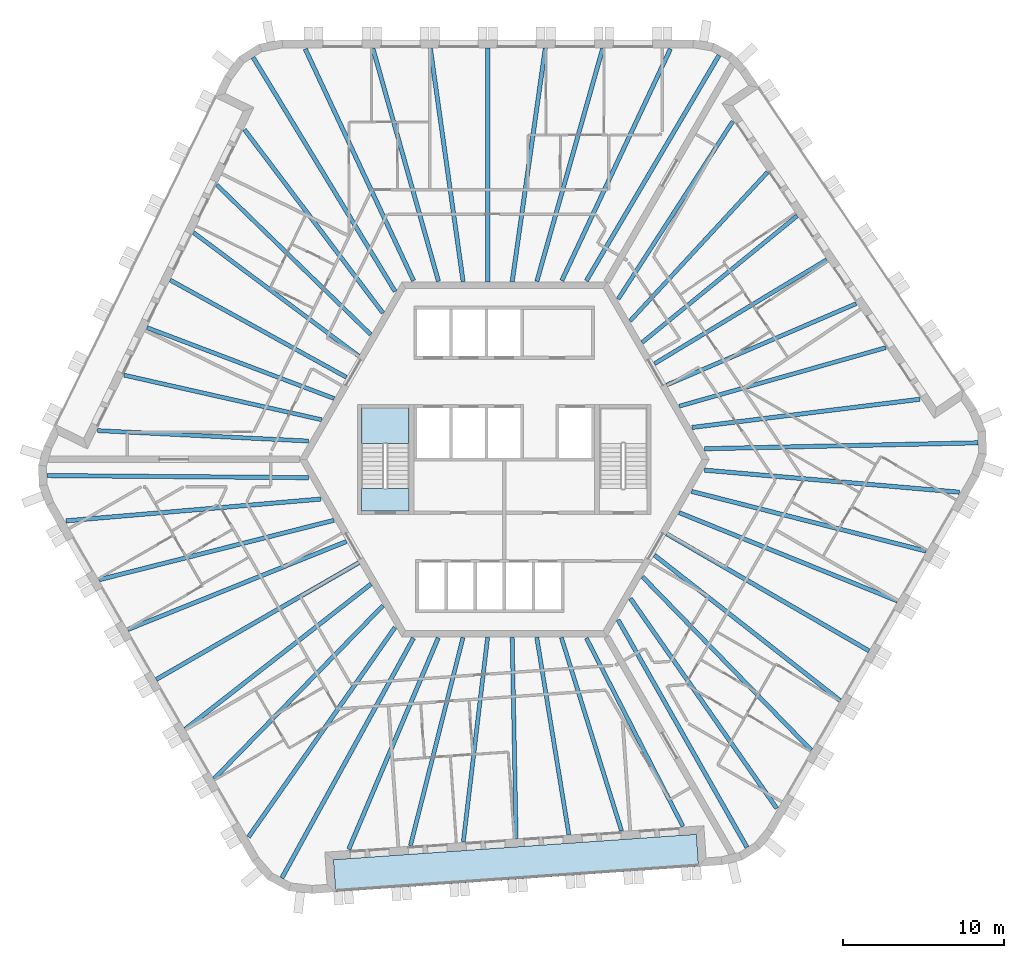
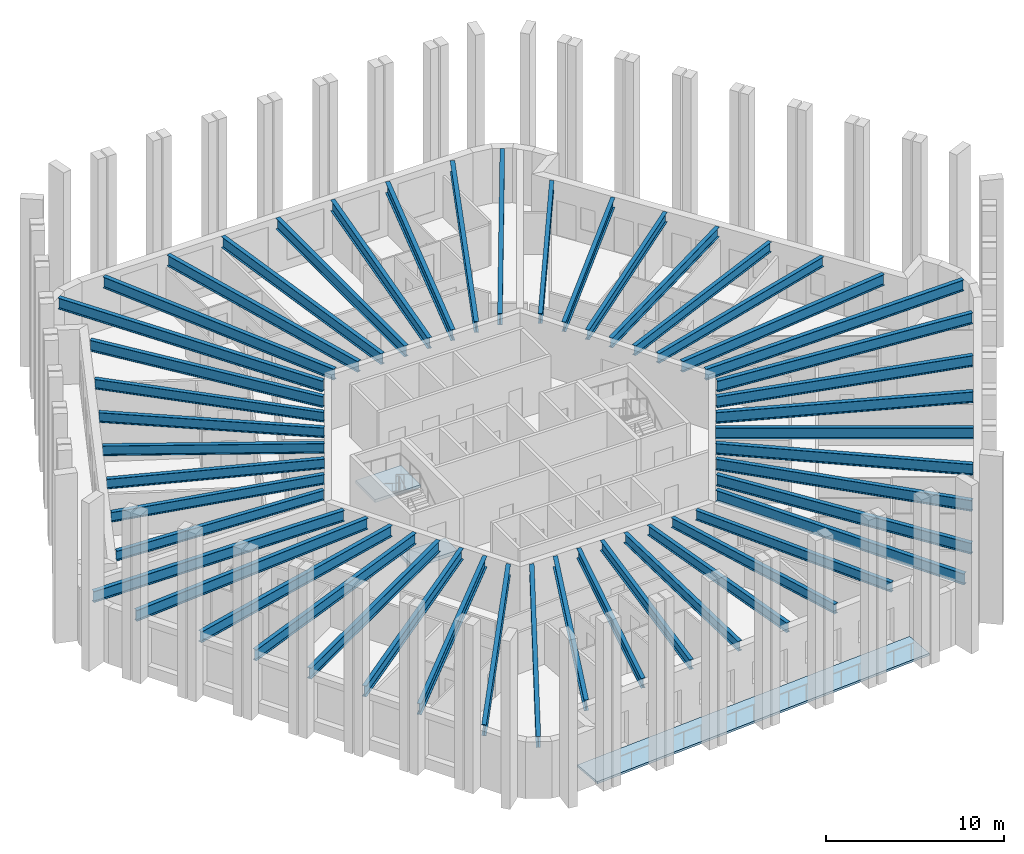
# One storey, part 1 of 13: 48 beams, 3 slabs, 1 element without a shape of its own.
"""IFC4 building model written with IfcOpenShell, lengths in metres."""

from ifc_helpers import new_model, si_unit, direction, frame, origin, origin_2d, place, context, subcontext, project, spatial, polyline, i_section, outline, extrude, material, layer, layer_set, material_profile, profile_set, type_object, element, aggregate, save


model = new_model("IFC4")

# Units and contexts
model_context = context("Model", 3, precision=1e-05, world=origin(), true_north=direction((0.0, 1.0)))
body_context = subcontext(model_context, "Body", "Model", "MODEL_VIEW")
ifc_project = project(units=[si_unit("LENGTHUNIT", "METRE"), si_unit("AREAUNIT", "SQUARE_METRE"), si_unit("VOLUMEUNIT", "CUBIC_METRE"), si_unit("PLANEANGLEUNIT", "RADIAN"), si_unit("MASSUNIT", "GRAM", prefix="KILO")], contexts=[model_context])

# Site, building, storey
site_placement = place(None, origin())
site = spatial("IfcSite", under=ifc_project, at=site_placement, CompositionType="ELEMENT")
building_placement = place(site_placement, origin())
building = spatial("IfcBuilding", under=site, at=building_placement, Name="Tarnside Tower", CompositionType="ELEMENT")
storey_placement = place(building_placement, frame((0.0, 0.0, 326.39990234375)))
storey = spatial("IfcBuildingStorey", under=building, at=storey_placement, Name="L79", CompositionType="ELEMENT", Elevation=326.39990234375)

# Beams
ifc_material_1 = material(Name="Steel S355", Category="steel")
ifc_material_profile_1 = material_profile(ifc_material_1, i_section(OverallWidth=0.2529296875, OverallDepth=0.677978515625, WebThickness=0.01171875, FlangeThickness=0.01611328125, FilletRadius=0.01513671875, at=origin_2d()), Name="UB 686x254x125")
ifc_profile_set_1 = profile_set([ifc_material_profile_1], Name="Steel S355")
beam_type_1 = type_object("IfcBeamType", Name="Floor beam UB 686x254x125", PredefinedType="BEAM", material=ifc_profile_set_1)
beam_1_placement = place(storey_placement, frame((-17.811279296875, 17.002197265625, 3.4111328125), z_axis=(0.717190986424, -0.696876666988, 0.0), x_axis=(0.696876666988, 0.717190986424, 0.0)))
element("IfcBeam", 1, at=beam_1_placement, inside=storey, type_object=beam_type_1, Name="Floor beam F2.02", PredefinedType="BEAM", context=body_context, shape_type="SweptSolid", body=[
    extrude(i_section(OverallWidth=0.2529296875, OverallDepth=0.677978515625, WebThickness=0.01171875, FlangeThickness=0.01611328125, FilletRadius=0.01513671875, at=origin_2d()), origin(), (0.0, 0.0, 1.0), 13.2919921875),
])
beam_2_placement = place(storey_placement, frame((-19.25, 14.0498046875, 3.4111328125), z_axis=(0.801006417676, -0.598655759883, 0.0), x_axis=(0.598655759883, 0.801006417676, 0.0)))
element("IfcBeam", 2, at=beam_2_placement, inside=storey, type_object=beam_type_1, Name="Floor beam F2.03", PredefinedType="BEAM", context=body_context, shape_type="SweptSolid", body=[
    extrude(i_section(OverallWidth=0.2529296875, OverallDepth=0.677978515625, WebThickness=0.01171875, FlangeThickness=0.01611328125, FilletRadius=0.01513671875, at=origin_2d()), origin(), (0.0, 0.0, 1.0), 12.764892578125),
])
beam_3_placement = place(storey_placement, frame((-20.70458984375, 11.111572265625, 3.4111328125), z_axis=(0.875666768762, -0.482915841619, 0.0), x_axis=(0.482915841619, 0.875666768762, 0.0)))
element("IfcBeam", 3, at=beam_3_placement, inside=storey, type_object=beam_type_1, Name="Floor beam F2.04", PredefinedType="BEAM", context=body_context, shape_type="SweptSolid", body=[
    extrude(i_section(OverallWidth=0.2529296875, OverallDepth=0.677978515625, WebThickness=0.01171875, FlangeThickness=0.01611328125, FilletRadius=0.01513671875, at=origin_2d()), origin(), (0.0, 0.0, 1.0), 12.468994140625),
])
beam_4_placement = place(storey_placement, frame((-22.141357421875, 8.165771484375, 3.4111328125), z_axis=(0.935116350489, -0.354340811998, 0.0), x_axis=(0.354340811998, 0.935116350489, 0.0)))
element("IfcBeam", 4, at=beam_4_placement, inside=storey, type_object=beam_type_1, Name="Floor beam F2.05", PredefinedType="BEAM", context=body_context, shape_type="SweptSolid", body=[
    extrude(i_section(OverallWidth=0.2529296875, OverallDepth=0.677978515625, WebThickness=0.01171875, FlangeThickness=0.01611328125, FilletRadius=0.01513671875, at=origin_2d()), origin(), (0.0, 0.0, 1.0), 12.399169921875),
])
beam_5_placement = place(storey_placement, frame((-23.556884765625, 5.2197265625, 3.4111328125), z_axis=(0.975445185376, -0.220242344534, 0.0), x_axis=(0.220242344534, 0.975445185376, 0.0)))
element("IfcBeam", 5, at=beam_5_placement, inside=storey, type_object=beam_type_1, Name="Floor beam F2.06", PredefinedType="BEAM", context=body_context, shape_type="SweptSolid", body=[
    extrude(i_section(OverallWidth=0.2529296875, OverallDepth=0.677978515625, WebThickness=0.01171875, FlangeThickness=0.01611328125, FilletRadius=0.01513671875, at=origin_2d()), origin(), (0.0, 0.0, 1.0), 12.538330078125),
])
beam_6_placement = place(storey_placement, frame((-25.214599609375, 1.7841796875, 3.4111328125), z_axis=(0.998783137237, -0.049317793651, 0.0), x_axis=(0.049317793651, 0.998783137237, 0.0)))
element("IfcBeam", 6, at=beam_6_placement, inside=storey, type_object=beam_type_1, Name="Floor beam F2.07", PredefinedType="BEAM", context=body_context, shape_type="SweptSolid", body=[
    extrude(i_section(OverallWidth=0.2529296875, OverallDepth=0.677978515625, WebThickness=0.01171875, FlangeThickness=0.01611328125, FilletRadius=0.01513671875, at=origin_2d()), origin(), (0.0, 0.0, 1.0), 13.103515625),
])
beam_7_placement = place(storey_placement, frame((-5.818603515625, -23.92626953125, 3.4111328125), z_axis=(0.244907502604, 0.969546448175, 0.0), x_axis=(-0.969546448175, 0.244907502604, 0.0)))
element("IfcBeam", 7, at=beam_7_placement, inside=storey, type_object=beam_type_1, Name="Floor beam F4.02", PredefinedType="BEAM", context=body_context, shape_type="SweptSolid", body=[
    extrude(i_section(OverallWidth=0.2529296875, OverallDepth=0.677978515625, WebThickness=0.01171875, FlangeThickness=0.01611328125, FilletRadius=0.01513671875, at=origin_2d()), origin(), (0.0, 0.0, 1.0), 13.292236328125),
])
beam_8_placement = place(storey_placement, frame((-2.54248046875, -23.69580078125, 3.4111328125), z_axis=(0.117949762105, 0.993019563563, 0.0), x_axis=(-0.993019563563, 0.117949762105, 0.0)))
element("IfcBeam", 8, at=beam_8_placement, inside=storey, type_object=beam_type_1, Name="Floor beam F4.03", PredefinedType="BEAM", context=body_context, shape_type="SweptSolid", body=[
    extrude(i_section(OverallWidth=0.2529296875, OverallDepth=0.677978515625, WebThickness=0.01171875, FlangeThickness=0.01611328125, FilletRadius=0.01513671875, at=origin_2d()), origin(), (0.0, 0.0, 1.0), 12.764892578125),
])
beam_9_placement = place(storey_placement, frame((0.7294921875, -23.486328125, 3.4111328125), z_axis=(-0.019619426101, 0.999807520536, 0.0), x_axis=(-0.999807520536, -0.019619426101, 0.0)))
element("IfcBeam", 9, at=beam_9_placement, inside=storey, type_object=beam_type_1, Name="Floor beam F4.04", PredefinedType="BEAM", context=body_context, shape_type="SweptSolid", body=[
    extrude(i_section(OverallWidth=0.2529296875, OverallDepth=0.677978515625, WebThickness=0.01171875, FlangeThickness=0.01611328125, FilletRadius=0.01513671875, at=origin_2d()), origin(), (0.0, 0.0, 1.0), 12.46875),
])
beam_10_placement = place(storey_placement, frame((3.9990234375, -23.2578125, 3.4111328125), z_axis=(-0.160690769029, 0.987004800773, 0.0), x_axis=(-0.987004800773, -0.160690769029, 0.0)))
element("IfcBeam", 10, at=beam_10_placement, inside=storey, type_object=beam_type_1, Name="Floor beam F4.05", PredefinedType="BEAM", context=body_context, shape_type="SweptSolid", body=[
    extrude(i_section(OverallWidth=0.2529296875, OverallDepth=0.677978515625, WebThickness=0.01171875, FlangeThickness=0.01611328125, FilletRadius=0.01513671875, at=origin_2d()), origin(), (0.0, 0.0, 1.0), 12.399169921875),
])
beam_11_placement = place(storey_placement, frame((7.258056640625, -23.0107421875, 3.4111328125), z_axis=(-0.296997512057, 0.954878252885, 0.0), x_axis=(-0.954878252885, -0.296997512057, 0.0)))
element("IfcBeam", 11, at=beam_11_placement, inside=storey, type_object=beam_type_1, Name="Floor beam F4.06", PredefinedType="BEAM", context=body_context, shape_type="SweptSolid", body=[
    extrude(i_section(OverallWidth=0.2529296875, OverallDepth=0.677978515625, WebThickness=0.01171875, FlangeThickness=0.01611328125, FilletRadius=0.01513671875, at=origin_2d()), origin(), (0.0, 0.0, 1.0), 12.538330078125),
])
beam_12_placement = place(storey_placement, frame((11.06201171875, -22.728515625, 3.4111328125), z_axis=(-0.456683143477, 0.889629420862, 0.0), x_axis=(-0.889629420862, -0.456683143477, 0.0)))
element("IfcBeam", 12, at=beam_12_placement, inside=storey, type_object=beam_type_1, Name="Floor beam F4.07", PredefinedType="BEAM", context=body_context, shape_type="SweptSolid", body=[
    extrude(i_section(OverallWidth=0.2529296875, OverallDepth=0.677978515625, WebThickness=0.01171875, FlangeThickness=0.01611328125, FilletRadius=0.01513671875, at=origin_2d()), origin(), (0.0, 0.0, 1.0), 13.103515625),
])
beam_13_placement = place(storey_placement, frame((23.6298828125, 6.924072265625, 3.4111328125), z_axis=(-0.962104001021, -0.272682766636, 0.0), x_axis=(0.272682766636, -0.962104001021, 0.0)))
element("IfcBeam", 13, at=beam_13_placement, inside=storey, type_object=beam_type_1, Name="Floor beam F6.02", PredefinedType="BEAM", context=body_context, shape_type="SweptSolid", body=[
    extrude(i_section(OverallWidth=0.2529296875, OverallDepth=0.677978515625, WebThickness=0.01171875, FlangeThickness=0.01611328125, FilletRadius=0.01513671875, at=origin_2d()), origin(), (0.0, 0.0, 1.0), 13.2919921875),
])
beam_14_placement = place(storey_placement, frame((21.792236328125, 9.64599609375, 3.4111328125), z_axis=(-0.918954980534, -0.394362452258, 0.0), x_axis=(0.394362452258, -0.918954980534, 0.0)))
element("IfcBeam", 14, at=beam_14_placement, inside=storey, type_object=beam_type_1, Name="Floor beam F6.03", PredefinedType="BEAM", context=body_context, shape_type="SweptSolid", body=[
    extrude(i_section(OverallWidth=0.2529296875, OverallDepth=0.677978515625, WebThickness=0.01171875, FlangeThickness=0.01611328125, FilletRadius=0.01513671875, at=origin_2d()), origin(), (0.0, 0.0, 1.0), 12.7646484375),
])
beam_15_placement = place(storey_placement, frame((19.97509765625, 12.375, 3.4111328125), z_axis=(-0.856046953876, -0.516898068055, 0.0), x_axis=(0.516898068055, -0.856046953876, 0.0)))
element("IfcBeam", 15, at=beam_15_placement, inside=storey, type_object=beam_type_1, Name="Floor beam F6.04", PredefinedType="BEAM", context=body_context, shape_type="SweptSolid", body=[
    extrude(i_section(OverallWidth=0.2529296875, OverallDepth=0.677978515625, WebThickness=0.01171875, FlangeThickness=0.01611328125, FilletRadius=0.01513671875, at=origin_2d()), origin(), (0.0, 0.0, 1.0), 12.46875),
])
beam_16_placement = place(storey_placement, frame((18.142333984375, 15.092041015625, 3.4111328125), z_axis=(-0.774438707576, -0.632648945473, 0.0), x_axis=(0.632648945473, -0.774438707576, 0.0)))
element("IfcBeam", 16, at=beam_16_placement, inside=storey, type_object=beam_type_1, Name="Floor beam F6.05", PredefinedType="BEAM", context=body_context, shape_type="SweptSolid", body=[
    extrude(i_section(OverallWidth=0.2529296875, OverallDepth=0.677978515625, WebThickness=0.01171875, FlangeThickness=0.01611328125, FilletRadius=0.01513671875, at=origin_2d()), origin(), (0.0, 0.0, 1.0), 12.39892578125),
])
beam_17_placement = place(storey_placement, frame((16.299072265625, 17.791015625, 3.4111328125), z_axis=(-0.67846123451, -0.734636204708, 0.0), x_axis=(0.734636204708, -0.67846123451, 0.0)))
element("IfcBeam", 17, at=beam_17_placement, inside=storey, type_object=beam_type_1, Name="Floor beam F6.06", PredefinedType="BEAM", context=body_context, shape_type="SweptSolid", body=[
    extrude(i_section(OverallWidth=0.2529296875, OverallDepth=0.677978515625, WebThickness=0.01171875, FlangeThickness=0.01611328125, FilletRadius=0.01513671875, at=origin_2d()), origin(), (0.0, 0.0, 1.0), 12.538330078125),
])
beam_18_placement = place(storey_placement, frame((14.152587890625, 20.9443359375, 3.4111328125), z_axis=(-0.54209970956, -0.840314170352, 0.0), x_axis=(0.840314170352, -0.54209970956, 0.0)))
element("IfcBeam", 18, at=beam_18_placement, inside=storey, type_object=beam_type_1, Name="Floor beam F6.07", PredefinedType="BEAM", context=body_context, shape_type="SweptSolid", body=[
    extrude(i_section(OverallWidth=0.2529296875, OverallDepth=0.677978515625, WebThickness=0.01171875, FlangeThickness=0.01611328125, FilletRadius=0.01513671875, at=origin_2d()), origin(), (0.0, 0.0, 1.0), 13.103759765625),
])
ifc_material_profile_2 = material_profile(ifc_material_1, i_section(OverallWidth=0.26513671875, OverallDepth=0.75390625, WebThickness=0.0126953125, FlangeThickness=0.017578125, FilletRadius=0.0166015625, at=origin_2d()), Name="UB 762x267x147")
ifc_profile_set_2 = profile_set([ifc_material_profile_2], Name="Steel S355")
beam_type_2 = type_object("IfcBeamType", Name="Floor beam UB 762x267x147", PredefinedType="BEAM", material=ifc_profile_set_2)
beam_19_placement = place(storey_placement, frame((6.093505859375, 25.46142578125, 3.373046875), z_axis=(-0.272147186115, -0.962255636039, 0.0), x_axis=(0.962255636039, -0.272147186115, 0.0)))
element("IfcBeam", 19, at=beam_19_placement, inside=storey, type_object=beam_type_2, Name="Floor beam F1.02", PredefinedType="BEAM", context=body_context, shape_type="SweptSolid", body=[
    extrude(i_section(OverallWidth=0.26513671875, OverallDepth=0.75390625, WebThickness=0.0126953125, FlangeThickness=0.017578125, FilletRadius=0.0166015625, at=origin_2d()), origin(), (0.0, 0.0, 1.0), 14.988525390625),
])
beam_20_placement = place(storey_placement, frame((2.537109375, 25.480224609375, 3.373046875), z_axis=(-0.140349428967, -0.990102034029, 0.0), x_axis=(0.990102034029, -0.140349428967, 0.0)))
element("IfcBeam", 20, at=beam_20_placement, inside=storey, type_object=beam_type_2, Name="Floor beam F1.03", PredefinedType="BEAM", context=body_context, shape_type="SweptSolid", body=[
    extrude(i_section(OverallWidth=0.26513671875, OverallDepth=0.75390625, WebThickness=0.0126953125, FlangeThickness=0.017578125, FilletRadius=0.0166015625, at=origin_2d()), origin(), (0.0, 0.0, 1.0), 14.60498046875),
])
beam_21_placement = place(storey_placement, frame((-1.02490234375, 25.5, 3.373046875), z_axis=(-0.000656653953, -0.999999784403, 0.0), x_axis=(0.999999784403, -0.000656653953, 0.0)))
element("IfcBeam", 21, at=beam_21_placement, inside=storey, type_object=beam_type_2, Name="Floor beam F1.04", PredefinedType="BEAM", context=body_context, shape_type="SweptSolid", body=[
    extrude(i_section(OverallWidth=0.26513671875, OverallDepth=0.75390625, WebThickness=0.0126953125, FlangeThickness=0.017578125, FilletRadius=0.0166015625, at=origin_2d()), origin(), (0.0, 0.0, 1.0), 14.5),
])
beam_22_placement = place(storey_placement, frame((-4.5869140625, 25.480224609375, 3.373046875), z_axis=(0.139070897001, -0.990282427193, 0.0), x_axis=(0.990282427193, 0.139070897001, 0.0)))
element("IfcBeam", 22, at=beam_22_placement, inside=storey, type_object=beam_type_2, Name="Floor beam F1.05", PredefinedType="BEAM", context=body_context, shape_type="SweptSolid", body=[
    extrude(i_section(OverallWidth=0.26513671875, OverallDepth=0.75390625, WebThickness=0.0126953125, FlangeThickness=0.017578125, FilletRadius=0.0166015625, at=origin_2d()), origin(), (0.0, 0.0, 1.0), 14.602294921875),
])
beam_23_placement = place(storey_placement, frame((-8.1435546875, 25.46142578125, 3.373046875), z_axis=(0.270985274434, -0.962583493023, 0.0), x_axis=(0.962583493023, 0.270985274434, 0.0)))
element("IfcBeam", 23, at=beam_23_placement, inside=storey, type_object=beam_type_2, Name="Floor beam F1.06", PredefinedType="BEAM", context=body_context, shape_type="SweptSolid", body=[
    extrude(i_section(OverallWidth=0.26513671875, OverallDepth=0.75390625, WebThickness=0.0126953125, FlangeThickness=0.017578125, FilletRadius=0.0166015625, at=origin_2d()), origin(), (0.0, 0.0, 1.0), 14.9833984375),
])
beam_24_placement = place(storey_placement, frame((-16.101318359375, 20.43212890625, 3.373046875), z_axis=(0.602566097863, -0.798068980543, 0.0), x_axis=(0.798068980543, 0.602566097863, 0.0)))
element("IfcBeam", 24, at=beam_24_placement, inside=storey, type_object=beam_type_2, Name="Floor beam F2.01", PredefinedType="BEAM", context=body_context, shape_type="SweptSolid", body=[
    extrude(i_section(OverallWidth=0.26513671875, OverallDepth=0.75390625, WebThickness=0.0126953125, FlangeThickness=0.017578125, FilletRadius=0.0166015625, at=origin_2d()), origin(), (0.0, 0.0, 1.0), 14.231201171875),
])
beam_25_placement = place(storey_placement, frame((-25.09716796875, -7.45361328125, 3.373046875), z_axis=(0.969413823687, 0.245431942592, 0.0), x_axis=(-0.245431942592, 0.969413823687, 0.0)))
element("IfcBeam", 25, at=beam_25_placement, inside=storey, type_object=beam_type_2, Name="Floor beam F3.02", PredefinedType="BEAM", context=body_context, shape_type="SweptSolid", body=[
    extrude(i_section(OverallWidth=0.26513671875, OverallDepth=0.75390625, WebThickness=0.0126953125, FlangeThickness=0.017578125, FilletRadius=0.0166015625, at=origin_2d()), origin(), (0.0, 0.0, 1.0), 14.98876953125),
])
beam_26_placement = place(storey_placement, frame((-23.3349609375, -10.54296875, 3.373046875), z_axis=(0.927625766949, 0.373510958998, 0.0), x_axis=(-0.373510958998, 0.927625766949, 0.0)))
element("IfcBeam", 26, at=beam_26_placement, inside=storey, type_object=beam_type_2, Name="Floor beam F3.03", PredefinedType="BEAM", context=body_context, shape_type="SweptSolid", body=[
    extrude(i_section(OverallWidth=0.26513671875, OverallDepth=0.75390625, WebThickness=0.0126953125, FlangeThickness=0.017578125, FilletRadius=0.0166015625, at=origin_2d()), origin(), (0.0, 0.0, 1.0), 14.60498046875),
])
beam_27_placement = place(storey_placement, frame((-21.5712890625, -13.6376953125, 3.373046875), z_axis=(0.866357363831, 0.499424587036, 0.0), x_axis=(-0.499424587036, 0.866357363831, 0.0)))
element("IfcBeam", 27, at=beam_27_placement, inside=storey, type_object=beam_type_2, Name="Floor beam F3.04", PredefinedType="BEAM", context=body_context, shape_type="SweptSolid", body=[
    extrude(i_section(OverallWidth=0.26513671875, OverallDepth=0.75390625, WebThickness=0.0126953125, FlangeThickness=0.017578125, FilletRadius=0.0166015625, at=origin_2d()), origin(), (0.0, 0.0, 1.0), 14.5),
])
beam_28_placement = place(storey_placement, frame((-19.77294921875, -16.71240234375, 3.373046875), z_axis=(0.788074813552, 0.615579473541, 0.0), x_axis=(-0.615579473541, 0.788074813552, 0.0)))
element("IfcBeam", 28, at=beam_28_placement, inside=storey, type_object=beam_type_2, Name="Floor beam F3.05", PredefinedType="BEAM", context=body_context, shape_type="SweptSolid", body=[
    extrude(i_section(OverallWidth=0.26513671875, OverallDepth=0.75390625, WebThickness=0.0126953125, FlangeThickness=0.017578125, FilletRadius=0.0166015625, at=origin_2d()), origin(), (0.0, 0.0, 1.0), 14.60205078125),
])
beam_29_placement = place(storey_placement, frame((-17.978515625, -19.783203125, 3.373046875), z_axis=(0.698129580508, 0.71597143017, 0.0), x_axis=(-0.71597143017, 0.698129580508, 0.0)))
element("IfcBeam", 29, at=beam_29_placement, inside=storey, type_object=beam_type_2, Name="Floor beam F3.06", PredefinedType="BEAM", context=body_context, shape_type="SweptSolid", body=[
    extrude(i_section(OverallWidth=0.26513671875, OverallDepth=0.75390625, WebThickness=0.0126953125, FlangeThickness=0.017578125, FilletRadius=0.0166015625, at=origin_2d()), origin(), (0.0, 0.0, 1.0), 14.983642578125),
])
beam_30_placement = place(storey_placement, frame((-9.64404296875, -24.160400390625, 3.373046875), z_axis=(0.389873911801, 0.920868249478, 0.0), x_axis=(-0.920868249478, 0.389873911801, 0.0)))
element("IfcBeam", 30, at=beam_30_placement, inside=storey, type_object=beam_type_2, Name="Floor beam F4.01", PredefinedType="BEAM", context=body_context, shape_type="SweptSolid", body=[
    extrude(i_section(OverallWidth=0.26513671875, OverallDepth=0.75390625, WebThickness=0.0126953125, FlangeThickness=0.017578125, FilletRadius=0.0166015625, at=origin_2d()), origin(), (0.0, 0.0, 1.0), 14.231201171875),
])
beam_31_placement = place(storey_placement, frame((19.00341796875, -18.008056640625, 3.373046875), z_axis=(-0.697249797022, 0.716828236437, 0.0), x_axis=(-0.716828236437, -0.697249797022, 0.0)))
element("IfcBeam", 31, at=beam_31_placement, inside=storey, type_object=beam_type_2, Name="Floor beam F5.02", PredefinedType="BEAM", context=body_context, shape_type="SweptSolid", body=[
    extrude(i_section(OverallWidth=0.26513671875, OverallDepth=0.75390625, WebThickness=0.0126953125, FlangeThickness=0.017578125, FilletRadius=0.0166015625, at=origin_2d()), origin(), (0.0, 0.0, 1.0), 14.98876953125),
])
beam_32_placement = place(storey_placement, frame((20.798095703125, -14.937255859375, 3.373046875), z_axis=(-0.787282014804, 0.616593082321, 0.0), x_axis=(-0.616593082321, -0.787282014804, 0.0)))
element("IfcBeam", 32, at=beam_32_placement, inside=storey, type_object=beam_type_2, Name="Floor beam F5.03", PredefinedType="BEAM", context=body_context, shape_type="SweptSolid", body=[
    extrude(i_section(OverallWidth=0.26513671875, OverallDepth=0.75390625, WebThickness=0.0126953125, FlangeThickness=0.017578125, FilletRadius=0.0166015625, at=origin_2d()), origin(), (0.0, 0.0, 1.0), 14.60498046875),
])
beam_33_placement = place(storey_placement, frame((22.59619140625, -11.8623046875, 3.373046875), z_axis=(-0.865697438889, 0.500567622106, 0.0), x_axis=(-0.500567622106, -0.865697438889, 0.0)))
element("IfcBeam", 33, at=beam_33_placement, inside=storey, type_object=beam_type_2, Name="Floor beam F5.04", PredefinedType="BEAM", context=body_context, shape_type="SweptSolid", body=[
    extrude(i_section(OverallWidth=0.26513671875, OverallDepth=0.75390625, WebThickness=0.0126953125, FlangeThickness=0.017578125, FilletRadius=0.0166015625, at=origin_2d()), origin(), (0.0, 0.0, 1.0), 14.500244140625),
])
beam_34_placement = place(storey_placement, frame((24.35986328125, -8.767578125, 3.373046875), z_axis=(-0.927145907531, 0.374700501933, 0.0), x_axis=(-0.374700501933, -0.927145907531, 0.0)))
element("IfcBeam", 34, at=beam_34_placement, inside=storey, type_object=beam_type_2, Name="Floor beam F5.05", PredefinedType="BEAM", context=body_context, shape_type="SweptSolid", body=[
    extrude(i_section(OverallWidth=0.26513671875, OverallDepth=0.75390625, WebThickness=0.0126953125, FlangeThickness=0.017578125, FilletRadius=0.0166015625, at=origin_2d()), origin(), (0.0, 0.0, 1.0), 14.60205078125),
])
beam_35_placement = place(storey_placement, frame((26.1220703125, -5.67822265625, 3.373046875), z_axis=(-0.969115089144, 0.246608888716, 0.0), x_axis=(-0.246608888716, -0.969115089144, 0.0)))
element("IfcBeam", 35, at=beam_35_placement, inside=storey, type_object=beam_type_2, Name="Floor beam F5.06", PredefinedType="BEAM", context=body_context, shape_type="SweptSolid", body=[
    extrude(i_section(OverallWidth=0.26513671875, OverallDepth=0.75390625, WebThickness=0.0126953125, FlangeThickness=0.017578125, FilletRadius=0.0166015625, at=origin_2d()), origin(), (0.0, 0.0, 1.0), 14.9833984375),
])
beam_36_placement = place(storey_placement, frame((25.745361328125, 3.72802734375, 3.373046875), z_axis=(-0.992433598491, -0.122782541866, 0.0), x_axis=(0.122782541866, -0.992433598491, 0.0)))
element("IfcBeam", 36, at=beam_36_placement, inside=storey, type_object=beam_type_2, Name="Floor beam F6.01", PredefinedType="BEAM", context=body_context, shape_type="SweptSolid", body=[
    extrude(i_section(OverallWidth=0.26513671875, OverallDepth=0.75390625, WebThickness=0.0126953125, FlangeThickness=0.017578125, FilletRadius=0.0166015625, at=origin_2d()), origin(), (0.0, 0.0, 1.0), 14.23095703125),
])
ifc_material_profile_3 = material_profile(ifc_material_1, i_section(OverallWidth=0.2666015625, OverallDepth=0.76220703125, WebThickness=0.014404296875, FlangeThickness=0.021484375, FilletRadius=0.0166015625, at=origin_2d()), Name="UB 762x267x173")
ifc_profile_set_3 = profile_set([ifc_material_profile_3], Name="Steel S355")
beam_type_3 = type_object("IfcBeamType", Name="Floor beam UB 762x267x173", PredefinedType="BEAM", material=ifc_profile_set_3)
beam_37_placement = place(storey_placement, frame((10.285400390625, 25.427490234375, 3.368896484375), z_axis=(-0.424439399801, -0.905456346765, 0.0), x_axis=(0.905456346765, -0.424439399801, 0.0)))
element("IfcBeam", 37, at=beam_37_placement, inside=storey, type_object=beam_type_3, Name="Floor beam F1.01", PredefinedType="BEAM", context=body_context, shape_type="SweptSolid", body=[
    extrude(i_section(OverallWidth=0.2666015625, OverallDepth=0.76220703125, WebThickness=0.014404296875, FlangeThickness=0.021484375, FilletRadius=0.0166015625, at=origin_2d()), origin(), (0.0, 0.0, 1.0), 15.853759765625),
])
beam_38_placement = place(storey_placement, frame((-12.335205078125, 25.427490234375, 3.368896484375), z_axis=(0.423453877267, -0.905917663934, 0.0), x_axis=(0.905917663934, 0.423453877267, 0.0)))
element("IfcBeam", 38, at=beam_38_placement, inside=storey, type_object=beam_type_3, Name="Floor beam F1.07", PredefinedType="BEAM", context=body_context, shape_type="SweptSolid", body=[
    extrude(i_section(OverallWidth=0.2666015625, OverallDepth=0.76220703125, WebThickness=0.014404296875, FlangeThickness=0.021484375, FilletRadius=0.0166015625, at=origin_2d()), origin(), (0.0, 0.0, 1.0), 15.845703125),
])
beam_39_placement = place(storey_placement, frame((-15.5703125, 24.91162109375, 3.368896484375), z_axis=(0.518716683755, -0.854946198304, 0.0), x_axis=(0.854946198304, 0.518716683755, 0.0)))
element("IfcBeam", 39, at=beam_39_placement, inside=storey, type_object=beam_type_3, Name="Floor beam C1", PredefinedType="BEAM", context=body_context, shape_type="SweptSolid", body=[
    extrude(i_section(OverallWidth=0.2666015625, OverallDepth=0.76220703125, WebThickness=0.014404296875, FlangeThickness=0.021484375, FilletRadius=0.0166015625, at=origin_2d()), origin(), (0.0, 0.0, 1.0), 16.961181640625),
])
beam_40_placement = place(storey_placement, frame((-28.3291015625, -1.0009765625, 3.368896484375), z_axis=(0.999966651082, -0.008166806173, 0.0), x_axis=(0.008166806173, 0.999966651082, 0.0)))
element("IfcBeam", 40, at=beam_40_placement, inside=storey, type_object=beam_type_3, Name="Floor beam C2", PredefinedType="BEAM", context=body_context, shape_type="SweptSolid", body=[
    extrude(i_section(OverallWidth=0.2666015625, OverallDepth=0.76220703125, WebThickness=0.014404296875, FlangeThickness=0.021484375, FilletRadius=0.0166015625, at=origin_2d()), origin(), (0.0, 0.0, 1.0), 16.20263671875),
])
beam_41_placement = place(storey_placement, frame((-27.16357421875, -3.806396484375, 3.368896484375), z_axis=(0.996367434748, 0.085158293626, 0.0), x_axis=(-0.085158293626, 0.996367434748, 0.0)))
element("IfcBeam", 41, at=beam_41_placement, inside=storey, type_object=beam_type_3, Name="Floor beam F3.01", PredefinedType="BEAM", context=body_context, shape_type="SweptSolid", body=[
    extrude(i_section(OverallWidth=0.2666015625, OverallDepth=0.76220703125, WebThickness=0.014404296875, FlangeThickness=0.021484375, FilletRadius=0.0166015625, at=origin_2d()), origin(), (0.0, 0.0, 1.0), 15.85400390625),
])
beam_42_placement = place(storey_placement, frame((-15.853271484375, -23.396484375, 3.368896484375), z_axis=(0.572816933654, 0.819683329414, 0.0), x_axis=(-0.819683329414, 0.572816933654, 0.0)))
element("IfcBeam", 42, at=beam_42_placement, inside=storey, type_object=beam_type_3, Name="Floor beam F3.07", PredefinedType="BEAM", context=body_context, shape_type="SweptSolid", body=[
    extrude(i_section(OverallWidth=0.2666015625, OverallDepth=0.76220703125, WebThickness=0.014404296875, FlangeThickness=0.021484375, FilletRadius=0.0166015625, at=origin_2d()), origin(), (0.0, 0.0, 1.0), 15.84619140625),
])
beam_43_placement = place(storey_placement, frame((-13.788818359375, -25.93994140625, 3.368896484375), z_axis=(0.481036073107, 0.876700802081, 0.0), x_axis=(-0.876700802081, 0.481036073107, 0.0)))
element("IfcBeam", 43, at=beam_43_placement, inside=storey, type_object=beam_type_3, Name="Floor beam C3", PredefinedType="BEAM", context=body_context, shape_type="SweptSolid", body=[
    extrude(i_section(OverallWidth=0.2666015625, OverallDepth=0.76220703125, WebThickness=0.014404296875, FlangeThickness=0.021484375, FilletRadius=0.0166015625, at=origin_2d()), origin(), (0.0, 0.0, 1.0), 16.961181640625),
])
beam_44_placement = place(storey_placement, frame((15.031494140625, -24.033447265625, 3.368896484375), z_axis=(-0.49290801997, 0.870081423689, 0.0), x_axis=(-0.870081423689, -0.49290801997, 0.0)))
element("IfcBeam", 44, at=beam_44_placement, inside=storey, type_object=beam_type_3, Name="Floor beam C4", PredefinedType="BEAM", context=body_context, shape_type="SweptSolid", body=[
    extrude(i_section(OverallWidth=0.2666015625, OverallDepth=0.76220703125, WebThickness=0.014404296875, FlangeThickness=0.021484375, FilletRadius=0.0166015625, at=origin_2d()), origin(), (0.0, 0.0, 1.0), 16.202880859375),
])
beam_45_placement = place(storey_placement, frame((16.87841796875, -21.62109375, 3.368896484375), z_axis=(-0.571946235641, 0.82029110902, 0.0), x_axis=(-0.82029110902, -0.571946235641, 0.0)))
element("IfcBeam", 45, at=beam_45_placement, inside=storey, type_object=beam_type_3, Name="Floor beam F5.01", PredefinedType="BEAM", context=body_context, shape_type="SweptSolid", body=[
    extrude(i_section(OverallWidth=0.2666015625, OverallDepth=0.76220703125, WebThickness=0.014404296875, FlangeThickness=0.021484375, FilletRadius=0.0166015625, at=origin_2d()), origin(), (0.0, 0.0, 1.0), 15.85400390625),
])
beam_46_placement = place(storey_placement, frame((28.1884765625, -2.03125, 3.368896484375), z_axis=(-0.996273584651, 0.086249316098, 0.0), x_axis=(-0.086249316098, -0.996273584651, 0.0)))
element("IfcBeam", 46, at=beam_46_placement, inside=storey, type_object=beam_type_3, Name="Floor beam F5.07", PredefinedType="BEAM", context=body_context, shape_type="SweptSolid", body=[
    extrude(i_section(OverallWidth=0.2666015625, OverallDepth=0.76220703125, WebThickness=0.014404296875, FlangeThickness=0.021484375, FilletRadius=0.0166015625, at=origin_2d()), origin(), (0.0, 0.0, 1.0), 15.845947265625),
])
beam_47_placement = place(storey_placement, frame((29.359130859375, 1.028564453125, 3.368896484375), z_axis=(-0.999763142455, -0.02176370807, 0.0), x_axis=(0.02176370807, -0.999763142455, 0.0)))
element("IfcBeam", 47, at=beam_47_placement, inside=storey, type_object=beam_type_3, Name="Floor beam C5", PredefinedType="BEAM", context=body_context, shape_type="SweptSolid", body=[
    extrude(i_section(OverallWidth=0.2666015625, OverallDepth=0.76220703125, WebThickness=0.014404296875, FlangeThickness=0.021484375, FilletRadius=0.0166015625, at=origin_2d()), origin(), (0.0, 0.0, 1.0), 16.961181640625),
])
beam_48_placement = place(storey_placement, frame((13.2978515625, 25.0341796875, 3.368896484375), z_axis=(-0.507080048325, -0.861898964259, 0.0), x_axis=(0.861898964259, -0.507080048325, 0.0)))
element("IfcBeam", 48, at=beam_48_placement, inside=storey, type_object=beam_type_3, Name="Floor beam C6", PredefinedType="BEAM", context=body_context, shape_type="SweptSolid", body=[
    extrude(i_section(OverallWidth=0.2666015625, OverallDepth=0.76220703125, WebThickness=0.014404296875, FlangeThickness=0.021484375, FilletRadius=0.0166015625, at=origin_2d()), origin(), (0.0, 0.0, 1.0), 16.20263671875),
])

# Slabs
ifc_material_2 = material(Name="Concrete C40/50", Category="concrete")
ifc_layer_1 = layer(ifc_material_2, 0.25)
ifc_layer_set_1 = layer_set([ifc_layer_1], Name="Core slab C40/50")
slab_type_1 = type_object("IfcSlabType", Name="Core slab C40/50", PredefinedType="FLOOR", material=ifc_layer_set_1)
slab_1_placement = place(storey_placement, frame((0.0, 0.0, -0.25)))
element("IfcSlab", 49, at=slab_1_placement, inside=storey, type_object=slab_type_1, Name="L79 core floor slab 2", PredefinedType="FLOOR", context=body_context, shape_type="SweptSolid", body=[
    extrude(outline(polyline([(-8.85009765625, -3.199951171875), (-8.85009765625, -1.800048828125), (-5.89990234375, -1.800048828125), (-5.89990234375, -3.199951171875), (-8.85009765625, -3.199951171875)])), origin(), (0.0, 0.0, 1.0), 0.25),
])
ifc_material_3 = material(Name="Timber decking", Category="wood")
ifc_layer_2 = layer(ifc_material_3, 0.0400390625)
ifc_material_4 = material(Name="Concrete C60/75 precast", Category="concrete")
ifc_layer_3 = layer(ifc_material_4, 0.110107421875)
ifc_layer_set_2 = layer_set([ifc_layer_2, ifc_layer_3], Name="Loggia deck 150")
slab_type_2 = type_object("IfcSlabType", Name="Loggia deck 150", PredefinedType="FLOOR", material=ifc_layer_set_2)
slab_2_placement = place(storey_placement, frame((0.0, 0.0, -0.14990234375)))
element("IfcSlab", 50, at=slab_2_placement, inside=storey, type_object=slab_type_2, Name="Loggia deck L79 F4", PredefinedType="FLOOR", context=body_context, shape_type="SweptSolid", body=[
    extrude(outline(polyline([(-10.593017578125, -24.79931640625), (11.896728515625, -23.226806640625), (12.036376953125, -25.221923828125), (-10.45361328125, -26.79443359375), (-10.593017578125, -24.79931640625)])), origin(), (0.0, 0.0, 1.0), 0.14990234375),
])

# Stair, slab
stair_type = type_object("IfcStairType", Name="Exit stair 1400 clear", PredefinedType="HALF_TURN_STAIR", material=ifc_material_2)
stair_placement = place(storey_placement, origin())
stair = element("IfcStair", 51, at=stair_placement, inside=storey, type_object=stair_type, Name="L79 Exit stair 2", PredefinedType="HALF_TURN_STAIR")
ifc_layer_4 = layer(ifc_material_2, 0.199951171875)
ifc_layer_set_3 = layer_set([ifc_layer_4], Name="Stair landing 200 C40/50")
slab_type_3 = type_object("IfcSlabType", Name="Stair landing 200 C40/50", PredefinedType="LANDING", material=ifc_layer_set_3)
slab_3_placement = place(storey_placement, frame((0.0, 0.0, 1.75)))
slab_3 = element("IfcSlab", 52, at=slab_3_placement, type_object=slab_type_3, Name="ST2 landing 1", PredefinedType="LANDING", context=body_context, shape_type="SweptSolid", body=[
    extrude(outline(polyline([(-5.89990234375, 1.0), (-5.89990234375, 3.199951171875), (-8.85009765625, 3.199951171875), (-8.85009765625, 1.0), (-5.89990234375, 1.0)])), origin(), (0.0, 0.0, 1.0), 0.2001953125),
])
aggregate(stair, [slab_3])

save(model, "model.ifc")
